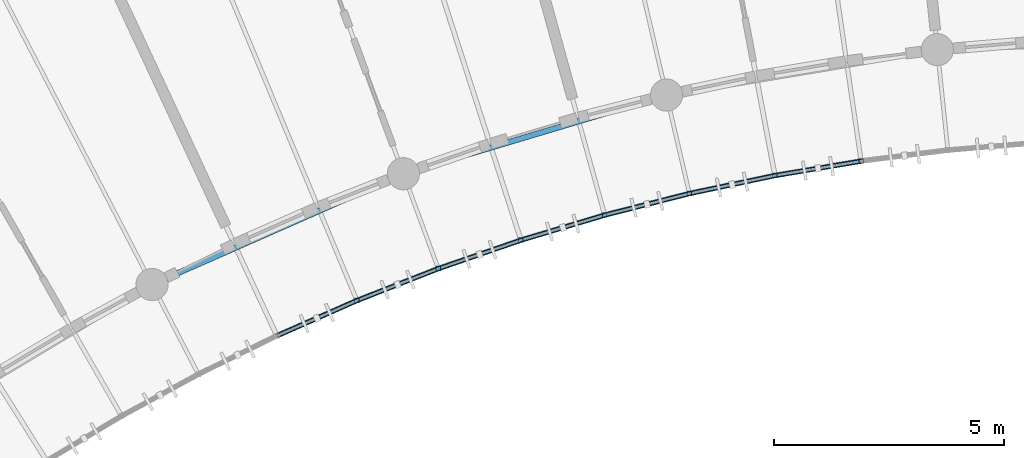
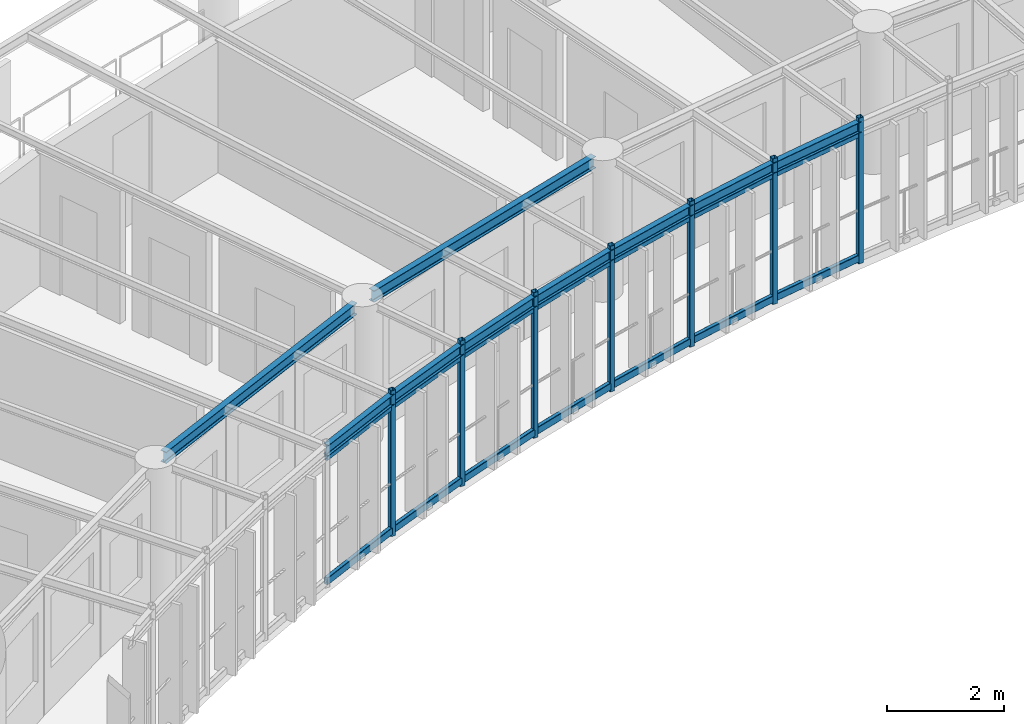
# One storey, part 27 of 100: 21 members, 9 beams.
"""IFC4 building model written with IfcOpenShell, lengths in metres."""

from ifc_helpers import new_model, si_unit, direction, frame, origin, origin_2d, place, context, subcontext, project, spatial, hollow_rectangle, i_section, extrude, material, material_profile, profile_set, type_object, element, save


model = new_model("IFC4")

# Units and contexts
model_context = context("Model", 3, precision=1e-05, world=origin(), true_north=direction((0.0, 1.0)))
body_context = subcontext(model_context, "Body", "Model", "MODEL_VIEW")
ifc_project = project(units=[si_unit("LENGTHUNIT", "METRE"), si_unit("AREAUNIT", "SQUARE_METRE"), si_unit("VOLUMEUNIT", "CUBIC_METRE"), si_unit("PLANEANGLEUNIT", "RADIAN"), si_unit("MASSUNIT", "GRAM", prefix="KILO"), si_unit("POWERUNIT", "WATT"), si_unit("THERMODYNAMICTEMPERATUREUNIT", "KELVIN")], contexts=[model_context])

# Site, building, storey
site_placement = place(None, origin())
site = spatial("IfcSite", under=ifc_project, at=site_placement, CompositionType="ELEMENT")
building_placement = place(site_placement, origin())
building = spatial("IfcBuilding", under=site, at=building_placement, Name="Ruvembo Vaulted Housing Court", CompositionType="ELEMENT")
storey_placement = place(building_placement, frame((0.0, 0.0, 10.89990234375)))
storey = spatial("IfcBuildingStorey", under=building, at=storey_placement, Name="L03", CompositionType="ELEMENT", Elevation=10.89990234375)

# Beams
ifc_material = material(Name="Steel S355J2", Category="steel")
ifc_material_profile_1 = material_profile(ifc_material, i_section(OverallWidth=0.110107421875, OverallDepth=0.219970703125, WebThickness=0.005859375, FlangeThickness=0.00927734375, FilletRadius=0.011962890625, at=origin_2d()), Name="IPE 220")
ifc_profile_set_1 = profile_set([ifc_material_profile_1], Name="Steel S355J2")
beam_type_1 = type_object("IfcBeamType", Name="BM-ST-IPE220", PredefinedType="SPANDREL", material=ifc_profile_set_1)
for number, where, z_axis, x_axis, name in (
    (1, (97.663818359375, 91.51806640625, 2.830078125), (0.91507815309, 0.403276547467, 0.0), (-0.403276547467, 0.91507815309, 0.0), "Scoop SC3 L03 Balcony Edge Spandrel 4"),
    (2, (99.4033203125, 92.28466796875, 2.830078125), (0.931005720133, 0.365004587752, 0.0), (-0.365004587752, 0.931005720133, 0.0), "Scoop SC3 L03 Balcony Edge Spandrel 5"),
):
    element("IfcBeam", number, at=place(storey_placement, frame(where, z_axis=z_axis, x_axis=x_axis)), inside=storey, type_object=beam_type_1, Name=name, PredefinedType="SPANDREL", context=body_context, shape_type="SweptSolid", body=[
        extrude(i_section(OverallWidth=0.110107421875, OverallDepth=0.219970703125, WebThickness=0.005859375, FlangeThickness=0.00927734375, FilletRadius=0.011962890625, at=origin_2d()), origin(), (0.0, 0.0, 1.0), 1.90087890625),
    ])
beam_1_placement = place(storey_placement, frame((101.173095703125, 92.978515625, 2.830078125), z_axis=(0.945357969834, 0.326034214264, 0.0), x_axis=(-0.326034214264, 0.945357969834, 0.0)))
element("IfcBeam", 3, at=beam_1_placement, inside=storey, type_object=beam_type_1, Name="Scoop SC3 L03 Balcony Edge Spandrel 6", PredefinedType="SPANDREL", context=body_context, shape_type="SweptSolid", body=[
    extrude(i_section(OverallWidth=0.110107421875, OverallDepth=0.219970703125, WebThickness=0.005859375, FlangeThickness=0.00927734375, FilletRadius=0.011962890625, at=origin_2d()), origin(), (0.0, 0.0, 1.0), 1.9013671875),
])
for number, where, z_axis, x_axis, name in (
    (4, (102.970458984375, 93.598388671875, 2.830078125), (0.958108609181, 0.286405120439, 0.0), (-0.286405120439, 0.958108609181, 0.0), "Scoop SC3 L03 Balcony Edge Spandrel 7"),
    (5, (104.791748046875, 94.142822265625, 2.830078125), (0.969121730429, 0.246582788553, 0.0), (-0.246582788553, 0.969121730429, 0.0), "Scoop SC3 L03 Balcony Edge Spandrel 8"),
):
    element("IfcBeam", number, at=place(storey_placement, frame(where, z_axis=z_axis, x_axis=x_axis)), inside=storey, type_object=beam_type_1, Name=name, PredefinedType="SPANDREL", context=body_context, shape_type="SweptSolid", body=[
        extrude(i_section(OverallWidth=0.110107421875, OverallDepth=0.219970703125, WebThickness=0.005859375, FlangeThickness=0.00927734375, FilletRadius=0.011962890625, at=origin_2d()), origin(), (0.0, 0.0, 1.0), 1.90087890625),
    ])
beam_2_placement = place(storey_placement, frame((106.634033203125, 94.611572265625, 2.830078125), z_axis=(0.978529342624, 0.206107558387, 0.0), x_axis=(-0.206107558387, 0.978529342624, 0.0)))
element("IfcBeam", 6, at=beam_2_placement, inside=storey, type_object=beam_type_1, Name="Scoop SC3 L03 Balcony Edge Spandrel 9", PredefinedType="SPANDREL", context=body_context, shape_type="SweptSolid", body=[
    extrude(i_section(OverallWidth=0.110107421875, OverallDepth=0.219970703125, WebThickness=0.005859375, FlangeThickness=0.00927734375, FilletRadius=0.011962890625, at=origin_2d()), origin(), (0.0, 0.0, 1.0), 1.901123046875),
])
beam_3_placement = place(storey_placement, frame((108.494384765625, 95.00341796875, 2.830078125), z_axis=(0.986265186139, 0.165169557153, 0.0), x_axis=(-0.165169557153, 0.986265186139, 0.0)))
element("IfcBeam", 7, at=beam_3_placement, inside=storey, type_object=beam_type_1, Name="Scoop SC3 L03 Balcony Edge Spandrel 10", PredefinedType="SPANDREL", context=body_context, shape_type="SweptSolid", body=[
    extrude(i_section(OverallWidth=0.110107421875, OverallDepth=0.219970703125, WebThickness=0.005859375, FlangeThickness=0.00927734375, FilletRadius=0.011962890625, at=origin_2d()), origin(), (0.0, 0.0, 1.0), 1.90087890625),
])
ifc_material_profile_2 = material_profile(ifc_material, i_section(OverallWidth=0.1201171875, OverallDepth=0.239990234375, WebThickness=0.006103515625, FlangeThickness=0.009765625, FilletRadius=0.014892578125, at=origin_2d()), Name="IPE 240")
ifc_profile_set_2 = profile_set([ifc_material_profile_2], Name="Steel S355J2")
beam_type_2 = type_object("IfcBeamType", Name="BM-ST-IPE240", PredefinedType="BEAM", material=ifc_profile_set_2)
for number, where, z_axis, x_axis, name in (
    (8, (95.156982421875, 92.726806640625, 2.822021484375), (0.91508701691, 0.403256433901, 0.0), (-0.403256433901, 0.91508701691, 0.0), "Scoop SC3 L03 Chord Girder F3"),
    (9, (100.63330078125, 95.10888671875, 2.822021484375), (0.958083049786, 0.286490610164, 0.0), (-0.286490610164, 0.958083049786, 0.0), "Scoop SC3 L03 Chord Girder F6"),
):
    element("IfcBeam", number, at=place(storey_placement, frame(where, z_axis=z_axis, x_axis=x_axis)), inside=storey, type_object=beam_type_2, Name=name, PredefinedType="BEAM", context=body_context, shape_type="SweptSolid", body=[
        extrude(i_section(OverallWidth=0.1201171875, OverallDepth=0.239990234375, WebThickness=0.006103515625, FlangeThickness=0.009765625, FilletRadius=0.014892578125, at=origin_2d()), origin(), (0.0, 0.0, 1.0), 5.513671875),
    ])

# Members
ifc_material_profile_3 = material_profile(ifc_material, hollow_rectangle(XDim=0.06005859375, YDim=0.1201171875, WallThickness=0.0048828125, InnerFilletRadius=0.0048828125, OuterFilletRadius=0.010009765625, at=origin_2d()), Name="RHS 120x60x5")
ifc_profile_set_3 = profile_set([ifc_material_profile_3], Name="Steel S355J2")
member_type_1 = type_object("IfcMemberType", Name="MEM-CAR-RHS120", PredefinedType="CHORD", material=ifc_profile_set_3)
for number, where, z_axis, x_axis, name in (
    (10, (97.663818359375, 91.51806640625, 2.6630859375), (0.91507815309, 0.403276547467, 0.0), (-0.403276547467, 0.91507815309, 0.0), "Scoop SC3 L03 Upper Louvre Carrier Rail 4"),
    (11, (99.4033203125, 92.28466796875, 2.6630859375), (0.931005720133, 0.365004587752, 0.0), (-0.365004587752, 0.931005720133, 0.0), "Scoop SC3 L03 Upper Louvre Carrier Rail 5"),
):
    element("IfcMember", number, at=place(storey_placement, frame(where, z_axis=z_axis, x_axis=x_axis)), inside=storey, type_object=member_type_1, Name=name, PredefinedType="CHORD", context=body_context, shape_type="SweptSolid", body=[
        extrude(hollow_rectangle(XDim=0.06005859375, YDim=0.1201171875, WallThickness=0.0048828125, InnerFilletRadius=0.0048828125, OuterFilletRadius=0.010009765625, at=origin_2d()), origin(), (0.0, 0.0, 1.0), 1.90087890625),
    ])
member_1_placement = place(storey_placement, frame((101.173095703125, 92.978515625, 2.6630859375), z_axis=(0.945357969834, 0.326034214264, 0.0), x_axis=(-0.326034214264, 0.945357969834, 0.0)))
element("IfcMember", 12, at=member_1_placement, inside=storey, type_object=member_type_1, Name="Scoop SC3 L03 Upper Louvre Carrier Rail 6", PredefinedType="CHORD", context=body_context, shape_type="SweptSolid", body=[
    extrude(hollow_rectangle(XDim=0.06005859375, YDim=0.1201171875, WallThickness=0.0048828125, InnerFilletRadius=0.0048828125, OuterFilletRadius=0.010009765625, at=origin_2d()), origin(), (0.0, 0.0, 1.0), 1.9013671875),
])
for number, where, z_axis, x_axis, name in (
    (13, (102.970458984375, 93.598388671875, 2.6630859375), (0.958108609181, 0.286405120439, 0.0), (-0.286405120439, 0.958108609181, 0.0), "Scoop SC3 L03 Upper Louvre Carrier Rail 7"),
    (14, (104.791748046875, 94.142822265625, 2.6630859375), (0.969121730429, 0.246582788553, 0.0), (-0.246582788553, 0.969121730429, 0.0), "Scoop SC3 L03 Upper Louvre Carrier Rail 8"),
):
    element("IfcMember", number, at=place(storey_placement, frame(where, z_axis=z_axis, x_axis=x_axis)), inside=storey, type_object=member_type_1, Name=name, PredefinedType="CHORD", context=body_context, shape_type="SweptSolid", body=[
        extrude(hollow_rectangle(XDim=0.06005859375, YDim=0.1201171875, WallThickness=0.0048828125, InnerFilletRadius=0.0048828125, OuterFilletRadius=0.010009765625, at=origin_2d()), origin(), (0.0, 0.0, 1.0), 1.90087890625),
    ])
member_2_placement = place(storey_placement, frame((106.634033203125, 94.611572265625, 2.6630859375), z_axis=(0.978529342624, 0.206107558387, 0.0), x_axis=(-0.206107558387, 0.978529342624, 0.0)))
element("IfcMember", 15, at=member_2_placement, inside=storey, type_object=member_type_1, Name="Scoop SC3 L03 Upper Louvre Carrier Rail 9", PredefinedType="CHORD", context=body_context, shape_type="SweptSolid", body=[
    extrude(hollow_rectangle(XDim=0.06005859375, YDim=0.1201171875, WallThickness=0.0048828125, InnerFilletRadius=0.0048828125, OuterFilletRadius=0.010009765625, at=origin_2d()), origin(), (0.0, 0.0, 1.0), 1.901123046875),
])
member_3_placement = place(storey_placement, frame((108.494384765625, 95.00341796875, 2.6630859375), z_axis=(0.986265186139, 0.165169557153, 0.0), x_axis=(-0.165169557153, 0.986265186139, 0.0)))
element("IfcMember", 16, at=member_3_placement, inside=storey, type_object=member_type_1, Name="Scoop SC3 L03 Upper Louvre Carrier Rail 10", PredefinedType="CHORD", context=body_context, shape_type="SweptSolid", body=[
    extrude(hollow_rectangle(XDim=0.06005859375, YDim=0.1201171875, WallThickness=0.0048828125, InnerFilletRadius=0.0048828125, OuterFilletRadius=0.010009765625, at=origin_2d()), origin(), (0.0, 0.0, 1.0), 1.90087890625),
])
ifc_material_profile_4 = material_profile(ifc_material, hollow_rectangle(XDim=0.080078125, YDim=0.14990234375, WallThickness=0.00634765625, InnerFilletRadius=0.00634765625, OuterFilletRadius=0.0126953125, at=origin_2d()), Name="RHS 150x80x6.3")
ifc_profile_set_4 = profile_set([ifc_material_profile_4], Name="Steel S355J2")
member_type_2 = type_object("IfcMemberType", Name="MEM-CAR-RHS150", PredefinedType="CHORD", material=ifc_profile_set_4)
for number, where, z_axis, x_axis, name in (
    (17, (97.663818359375, 91.51806640625, 0.09521484375), (0.91507815309, 0.403276547467, 0.0), (-0.403276547467, 0.91507815309, 0.0), "Scoop SC3 L03 Lower Louvre Carrier Rail 4"),
    (18, (99.4033203125, 92.28466796875, 0.09521484375), (0.931005720133, 0.365004587752, 0.0), (-0.365004587752, 0.931005720133, 0.0), "Scoop SC3 L03 Lower Louvre Carrier Rail 5"),
):
    element("IfcMember", number, at=place(storey_placement, frame(where, z_axis=z_axis, x_axis=x_axis)), inside=storey, type_object=member_type_2, Name=name, PredefinedType="CHORD", context=body_context, shape_type="SweptSolid", body=[
        extrude(hollow_rectangle(XDim=0.080078125, YDim=0.14990234375, WallThickness=0.00634765625, InnerFilletRadius=0.00634765625, OuterFilletRadius=0.0126953125, at=origin_2d()), origin(), (0.0, 0.0, 1.0), 1.90087890625),
    ])
member_4_placement = place(storey_placement, frame((101.173095703125, 92.978515625, 0.09521484375), z_axis=(0.945357969834, 0.326034214264, 0.0), x_axis=(-0.326034214264, 0.945357969834, 0.0)))
element("IfcMember", 19, at=member_4_placement, inside=storey, type_object=member_type_2, Name="Scoop SC3 L03 Lower Louvre Carrier Rail 6", PredefinedType="CHORD", context=body_context, shape_type="SweptSolid", body=[
    extrude(hollow_rectangle(XDim=0.080078125, YDim=0.14990234375, WallThickness=0.00634765625, InnerFilletRadius=0.00634765625, OuterFilletRadius=0.0126953125, at=origin_2d()), origin(), (0.0, 0.0, 1.0), 1.9013671875),
])
for number, where, z_axis, x_axis, name in (
    (20, (102.970458984375, 93.598388671875, 0.09521484375), (0.958108609181, 0.286405120439, 0.0), (-0.286405120439, 0.958108609181, 0.0), "Scoop SC3 L03 Lower Louvre Carrier Rail 7"),
    (21, (104.791748046875, 94.142822265625, 0.09521484375), (0.969121730429, 0.246582788553, 0.0), (-0.246582788553, 0.969121730429, 0.0), "Scoop SC3 L03 Lower Louvre Carrier Rail 8"),
):
    element("IfcMember", number, at=place(storey_placement, frame(where, z_axis=z_axis, x_axis=x_axis)), inside=storey, type_object=member_type_2, Name=name, PredefinedType="CHORD", context=body_context, shape_type="SweptSolid", body=[
        extrude(hollow_rectangle(XDim=0.080078125, YDim=0.14990234375, WallThickness=0.00634765625, InnerFilletRadius=0.00634765625, OuterFilletRadius=0.0126953125, at=origin_2d()), origin(), (0.0, 0.0, 1.0), 1.90087890625),
    ])
member_5_placement = place(storey_placement, frame((106.634033203125, 94.611572265625, 0.09521484375), z_axis=(0.978529342624, 0.206107558387, 0.0), x_axis=(-0.206107558387, 0.978529342624, 0.0)))
element("IfcMember", 22, at=member_5_placement, inside=storey, type_object=member_type_2, Name="Scoop SC3 L03 Lower Louvre Carrier Rail 9", PredefinedType="CHORD", context=body_context, shape_type="SweptSolid", body=[
    extrude(hollow_rectangle(XDim=0.080078125, YDim=0.14990234375, WallThickness=0.00634765625, InnerFilletRadius=0.00634765625, OuterFilletRadius=0.0126953125, at=origin_2d()), origin(), (0.0, 0.0, 1.0), 1.901123046875),
])
member_6_placement = place(storey_placement, frame((108.494384765625, 95.00341796875, 0.09521484375), z_axis=(0.986265186139, 0.165169557153, 0.0), x_axis=(-0.165169557153, 0.986265186139, 0.0)))
element("IfcMember", 23, at=member_6_placement, inside=storey, type_object=member_type_2, Name="Scoop SC3 L03 Lower Louvre Carrier Rail 10", PredefinedType="CHORD", context=body_context, shape_type="SweptSolid", body=[
    extrude(hollow_rectangle(XDim=0.080078125, YDim=0.14990234375, WallThickness=0.00634765625, InnerFilletRadius=0.00634765625, OuterFilletRadius=0.0126953125, at=origin_2d()), origin(), (0.0, 0.0, 1.0), 1.90087890625),
])
ifc_material_profile_5 = material_profile(ifc_material, hollow_rectangle(XDim=0.10009765625, YDim=0.10009765625, WallThickness=0.00634765625, InnerFilletRadius=0.00634765625, OuterFilletRadius=0.0126953125, at=origin_2d()), Name="SHS 100x100x6.3")
ifc_profile_set_5 = profile_set([ifc_material_profile_5], Name="Steel S355J2")
member_type_3 = type_object("IfcMemberType", Name="MEM-FRM-SHS100", PredefinedType="STRUT", material=ifc_profile_set_5)
for number, where, z_axis, x_axis, name in (
    (24, (99.4033203125, 92.28466796875, -0.014892578125), (0.0, 0.0, 1.0), (1.0, 0.0, 0.0), "Scoop SC3 L03 Louvre Frame Post 5"),
    (25, (101.173095703125, 92.978515625, -0.014892578125), (0.0, 0.0, 1.0), (1.0, 0.0, 0.0), "Scoop SC3 L03 Louvre Frame Post 6"),
    (26, (102.970458984375, 93.598388671875, -0.014892578125), (0.0, 0.0, 1.0), (1.0, 0.0, 0.0), "Scoop SC3 L03 Louvre Frame Post 7"),
    (27, (104.791748046875, 94.142822265625, -0.014892578125), (0.0, 0.0, 1.0), (1.0, 0.0, 0.0), "Scoop SC3 L03 Louvre Frame Post 8"),
    (28, (106.634033203125, 94.611572265625, -0.014892578125), (0.0, 0.0, 1.0), (1.0, 0.0, 0.0), "Scoop SC3 L03 Louvre Frame Post 9"),
    (29, (108.494384765625, 95.00341796875, -0.014892578125), (0.0, 0.0, 1.0), (1.0, 0.0, 0.0), "Scoop SC3 L03 Louvre Frame Post 10"),
    (30, (110.369140625, 95.3173828125, -0.014892578125), (0.0, 0.0, 1.0), (1.0, 0.0, 0.0), "Scoop SC3 L03 Louvre Frame Post 11"),
):
    element("IfcMember", number, at=place(storey_placement, frame(where, z_axis=z_axis, x_axis=x_axis)), inside=storey, type_object=member_type_3, Name=name, PredefinedType="STRUT", context=body_context, shape_type="SweptSolid", body=[
        extrude(hollow_rectangle(XDim=0.10009765625, YDim=0.10009765625, WallThickness=0.00634765625, InnerFilletRadius=0.00634765625, OuterFilletRadius=0.0126953125, at=origin_2d()), origin(), (0.0, 0.0, 1.0), 3.032958984375),
    ])

save(model, "model.ifc")
